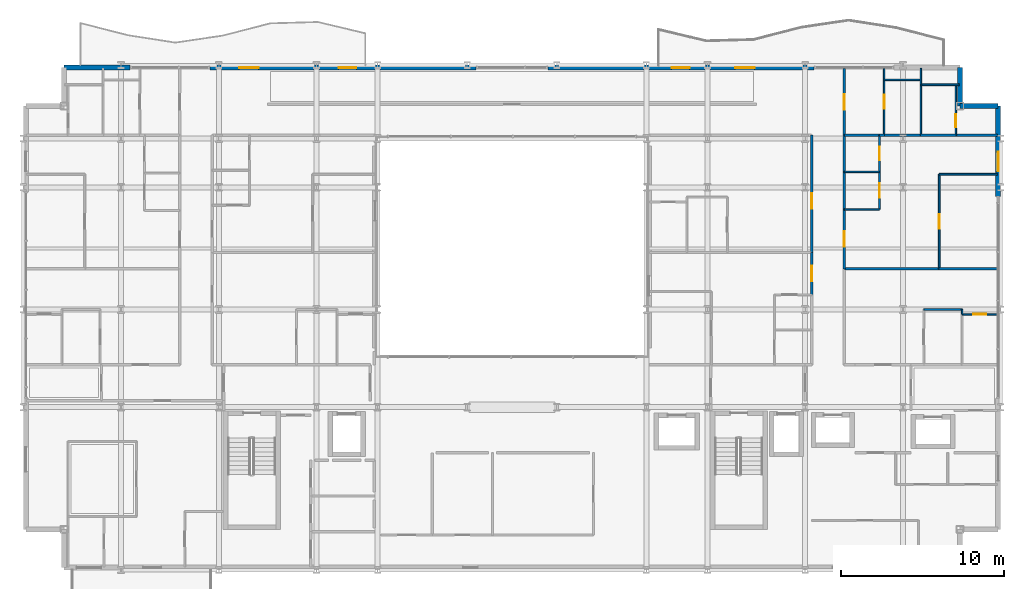
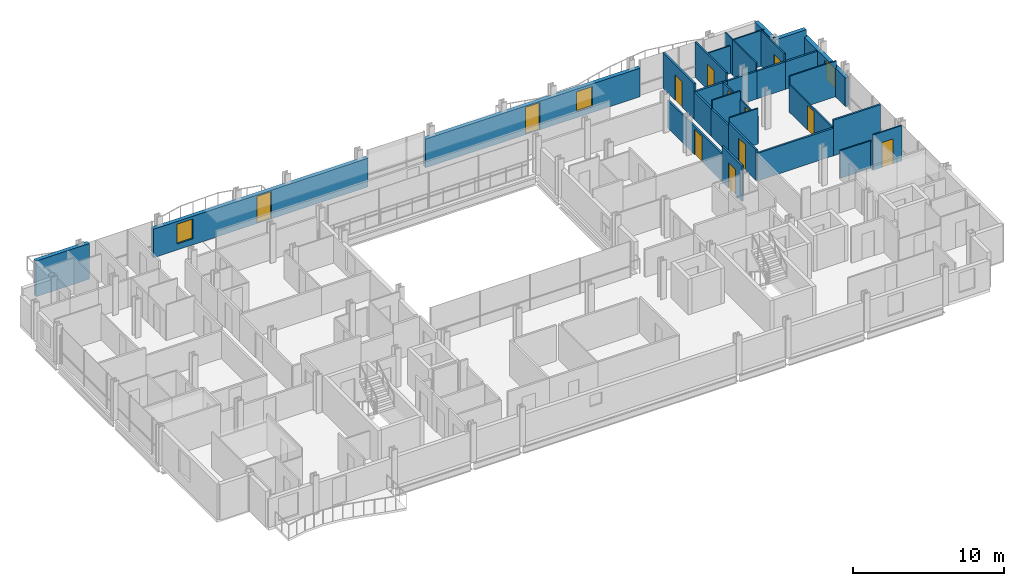
# One storey, part 36 of 41: 34 walls, 12 doors, 3 windows, 15 openings.
"""IFC4 building model written with IfcOpenShell, lengths in metres."""

from ifc_helpers import new_model, si_unit, direction, frame, frame_2d, origin, place, context, subcontext, project, spatial, rectangle, extrude, material, layer, layer_set, type_object, element, fill, save


model = new_model("IFC4")

# Units and contexts
model_context = context("Model", 3, precision=1e-05, world=origin(), true_north=direction((0.0, 1.0)))
body_context = subcontext(model_context, "Body", "Model", "MODEL_VIEW")
ifc_project = project(units=[si_unit("LENGTHUNIT", "METRE"), si_unit("AREAUNIT", "SQUARE_METRE"), si_unit("VOLUMEUNIT", "CUBIC_METRE"), si_unit("PLANEANGLEUNIT", "RADIAN"), si_unit("MASSUNIT", "GRAM", prefix="KILO")], contexts=[model_context])

# Site, building, storey
site_placement = place(None, origin())
site = spatial("IfcSite", under=ifc_project, at=site_placement, CompositionType="ELEMENT")
building_placement = place(site_placement, origin())
building = spatial("IfcBuilding", under=site, at=building_placement, Name="Brevholm Reach", CompositionType="ELEMENT")
storey_placement = place(building_placement, frame((0.0, 0.0, 55.89990234375)))
storey = spatial("IfcBuildingStorey", under=building, at=storey_placement, Name="L15", CompositionType="ELEMENT", Elevation=55.89990234375)

# Walls
ifc_material_1 = material(Name="Concrete C40/50", Category="concrete")
ifc_layer_1 = layer(ifc_material_1, 0.300048828125)
ifc_layer_set_1 = layer_set([ifc_layer_1], Name="Concrete C40/50")
wall_type_1 = type_object("IfcWallType", Name="WAL-EXT-300", PredefinedType="STANDARD", material=ifc_layer_set_1)
for number, where, z_axis, x_axis, name in (
    (1, (59.85009765625, 28.5, 0.0), (0.0, 0.0, 1.0), (-1.0, 0.0, 0.0), "L15 Facade Wall WAL-L15-CNE1"),
    (2, (57.5, 28.5, 0.0), (0.0, 0.0, 1.0), (0.0, 1.0, 0.0), "L15 Facade Wall WAL-L15-CNE2"),
):
    element("IfcWall", number, at=place(storey_placement, frame(where, z_axis=z_axis, x_axis=x_axis)), inside=storey, type_object=wall_type_1, Name=name, PredefinedType="STANDARD", context=body_context, shape_type="SweptSolid", body=[
        extrude(rectangle(XDim=2.35009765625, YDim=0.300048828125, at=frame_2d((1.175048828125, 0.0))), origin(), (0.0, 0.0, 1.0), 2.8701171875),
    ])

# Wall, opening, window
wall_1_placement = place(storey_placement, frame((59.85009765625, 22.949951171875, 0.0), z_axis=(0.0, 0.0, 1.0), x_axis=(0.0, 1.0, 0.0)))
wall_1 = element("IfcWall", 3, at=wall_1_placement, inside=storey, type_object=wall_type_1, Name="L15 Facade Wall WAL-L15-E-N", PredefinedType="STANDARD", context=body_context, shape_type="SweptSolid", body=[
    extrude(rectangle(XDim=5.550048828125, YDim=0.300048828125, at=frame_2d((2.77490234375, 0.0))), origin(), (0.0, 0.0, 1.0), 2.3056640625),
])
opening_1_placement = place(wall_1_placement, frame((1.530029296875, 0.0, 0.486083984375)))
opening_1 = element("IfcOpeningElement", 4, at=opening_1_placement, cuts=wall_1, Name="Opening WN-08", PredefinedType="OPENING", context=body_context, shape_type="SweptSolid", body=[
    extrude(rectangle(XDim=1.199951171875, YDim=1.60009765625, at=frame_2d((0.60009765625, 0.800048828125))), frame((0.0, 0.159912109375, 0.0), z_axis=(0.0, -1.0, 0.0), x_axis=(1.0, 0.0, 0.0)), (0.0, 0.0, 1.0), 0.320068359375),
])
ifc_material_2 = material(Name="Dark Anodised Aluminium and Solar-Control IGU Glass", Category="aluminium")
window_type = type_object("IfcWindowType", Name="WIN-RES-1200", PartitioningType="SINGLE_PANEL", PredefinedType="WINDOW", material=ifc_material_2)
window_1_placement = place(opening_1_placement, origin())
window_1 = element("IfcWindow", 5, at=window_1_placement, inside=storey, type_object=window_type, Name="L15 Window WIN-L15-EN-1", OverallHeight=1.60009765625, OverallWidth=1.199951171875, PartitioningType="SINGLE_PANEL", PredefinedType="WINDOW", context=body_context, shape_type="SweptSolid", body=[
    extrude(rectangle(XDim=1.199951171875, YDim=1.60009765625, at=frame_2d((0.60009765625, 0.800048828125))), frame((0.0, 0.030029296875, 0.0), z_axis=(0.0, -1.0, 0.0), x_axis=(1.0, 0.0, 0.0)), (0.0, 0.0, 1.0), 0.06005859375),
])
fill(opening_1, window_1)

# Wall
wall_2_placement = place(storey_placement, frame((2.5, 30.85009765625, 0.0), z_axis=(0.0, 0.0, 1.0), x_axis=(1.0, 0.0, 0.0)))
element("IfcWall", 6, at=wall_2_placement, inside=storey, type_object=wall_type_1, Name="L15 Facade Wall WAL-L15-NP-W0", PredefinedType="STANDARD", context=body_context, shape_type="SweptSolid", body=[
    extrude(rectangle(XDim=4.050048828125, YDim=0.300048828125, at=frame_2d((2.02490234375, 0.0))), origin(), (0.0, 0.0, 1.0), 2.8701171875),
])

# Wall, openings, door, window
wall_3_placement = place(storey_placement, frame((11.449951171875, 30.85009765625, 0.0), z_axis=(0.0, 0.0, 1.0), x_axis=(1.0, 0.0, 0.0)))
wall_3 = element("IfcWall", 7, at=wall_3_placement, inside=storey, type_object=wall_type_1, Name="L15 Facade Wall WAL-L15-NP-WL", PredefinedType="STANDARD", context=body_context, shape_type="SweptSolid", body=[
    extrude(rectangle(XDim=16.35009765625, YDim=0.300048828125, at=frame_2d((8.175048828125, 0.0))), origin(), (0.0, 0.0, 1.0), 2.3056640625),
])
opening_2_placement = place(wall_3_placement, frame((7.89794921875, 0.0, 0.0)))
opening_2 = element("IfcOpeningElement", 8, at=opening_2_placement, cuts=wall_3, Name="Opening BD-01", PredefinedType="OPENING", context=body_context, shape_type="SweptSolid", body=[
    extrude(rectangle(XDim=1.10009765625, YDim=2.199951171875, at=frame_2d((0.550048828125, 1.10009765625))), frame((0.0, 0.159912109375, 0.0), z_axis=(0.0, -1.0, 0.0), x_axis=(1.0, 0.0, 0.0)), (0.0, 0.0, 1.0), 0.320068359375),
])
opening_3_placement = place(wall_3_placement, frame((1.800048828125, 0.0, 0.486083984375)))
opening_3 = element("IfcOpeningElement", 9, at=opening_3_placement, cuts=wall_3, Name="Opening WN-08", PredefinedType="OPENING", context=body_context, shape_type="SweptSolid", body=[
    extrude(rectangle(XDim=1.199951171875, YDim=1.60009765625, at=frame_2d((0.60009765625, 0.800048828125))), frame((0.0, 0.159912109375, 0.0), z_axis=(0.0, -1.0, 0.0), x_axis=(1.0, 0.0, 0.0)), (0.0, 0.0, 1.0), 0.320068359375),
])
ifc_material_3 = material(Name="Dark Anodised Aluminium and Triple-Glazed Glass", Category="aluminium")
door_type_1 = type_object("IfcDoorType", Name="DOR-BALC-1100", OperationType="NOTDEFINED", PredefinedType="DOOR", material=ifc_material_3)
door_1_placement = place(opening_2_placement, origin())
door_1 = element("IfcDoor", 10, at=door_1_placement, inside=storey, type_object=door_type_1, Name="L15 Exterior Door DOR-L15-BL-NW", OperationType="SINGLE_SWING_LEFT", OverallHeight=2.199951171875, OverallWidth=1.10009765625, PredefinedType="DOOR", context=body_context, shape_type="SweptSolid", body=[
    extrude(rectangle(XDim=1.10009765625, YDim=2.199951171875, at=frame_2d((0.550048828125, 1.10009765625))), frame((0.0, 0.02490234375, 0.0), z_axis=(0.0, -1.0, 0.0), x_axis=(1.0, 0.0, 0.0)), (0.0, 0.0, 1.0), 0.050048828125),
])
fill(opening_2, door_1)
window_2_placement = place(opening_3_placement, origin())
window_2 = element("IfcWindow", 11, at=window_2_placement, inside=storey, type_object=window_type, Name="L15 Window WIN-L15-NP-WL1", OverallHeight=1.60009765625, OverallWidth=1.199951171875, PartitioningType="SINGLE_PANEL", PredefinedType="WINDOW", context=body_context, shape_type="SweptSolid", body=[
    extrude(rectangle(XDim=1.199951171875, YDim=1.60009765625, at=frame_2d((0.60009765625, 0.800048828125))), frame((0.0, 0.030029296875, 0.0), z_axis=(0.0, -1.0, 0.0), x_axis=(1.0, 0.0, 0.0)), (0.0, 0.0, 1.0), 0.06005859375),
])
fill(opening_3, window_2)

wall_4_placement = place(storey_placement, frame((32.199951171875, 30.85009765625, 0.0), z_axis=(0.0, 0.0, 1.0), x_axis=(1.0, 0.0, 0.0)))
wall_4 = element("IfcWall", 12, at=wall_4_placement, inside=storey, type_object=wall_type_1, Name="L15 Facade Wall WAL-L15-NP-ER", PredefinedType="STANDARD", context=body_context, shape_type="SweptSolid", body=[
    extrude(rectangle(XDim=16.35009765625, YDim=0.300048828125, at=frame_2d((8.175048828125, 0.0))), origin(), (0.0, 0.0, 1.0), 2.3056640625),
])
opening_4_placement = place(wall_4_placement, frame((7.60009765625, 0.0, 0.0)))
opening_4 = element("IfcOpeningElement", 13, at=opening_4_placement, cuts=wall_4, Name="Opening BD-01", PredefinedType="OPENING", context=body_context, shape_type="SweptSolid", body=[
    extrude(rectangle(XDim=1.10009765625, YDim=2.199951171875, at=frame_2d((0.550048828125, 1.10009765625))), frame((0.0, 0.159912109375, 0.0), z_axis=(0.0, -1.0, 0.0), x_axis=(1.0, 0.0, 0.0)), (0.0, 0.0, 1.0), 0.320068359375),
])
opening_5_placement = place(wall_4_placement, frame((11.5, 0.0, 0.486083984375)))
opening_5 = element("IfcOpeningElement", 14, at=opening_5_placement, cuts=wall_4, Name="Opening WN-08", PredefinedType="OPENING", context=body_context, shape_type="SweptSolid", body=[
    extrude(rectangle(XDim=1.199951171875, YDim=1.60009765625, at=frame_2d((0.60009765625, 0.800048828125))), frame((0.0, 0.159912109375, 0.0), z_axis=(0.0, -1.0, 0.0), x_axis=(1.0, 0.0, 0.0)), (0.0, 0.0, 1.0), 0.320068359375),
])
door_2_placement = place(opening_4_placement, origin())
door_2 = element("IfcDoor", 15, at=door_2_placement, inside=storey, type_object=door_type_1, Name="L15 Exterior Door DOR-L15-BL-NE", OperationType="SINGLE_SWING_RIGHT", OverallHeight=2.199951171875, OverallWidth=1.10009765625, PredefinedType="DOOR", context=body_context, shape_type="SweptSolid", body=[
    extrude(rectangle(XDim=1.10009765625, YDim=2.199951171875, at=frame_2d((0.550048828125, 1.10009765625))), frame((0.0, 0.02490234375, 0.0), z_axis=(0.0, -1.0, 0.0), x_axis=(1.0, 0.0, 0.0)), (0.0, 0.0, 1.0), 0.050048828125),
])
fill(opening_4, door_2)
window_3_placement = place(opening_5_placement, origin())
window_3 = element("IfcWindow", 16, at=window_3_placement, inside=storey, type_object=window_type, Name="L15 Window WIN-L15-NP-ER1", OverallHeight=1.60009765625, OverallWidth=1.199951171875, PartitioningType="SINGLE_PANEL", PredefinedType="WINDOW", context=body_context, shape_type="SweptSolid", body=[
    extrude(rectangle(XDim=1.199951171875, YDim=1.60009765625, at=frame_2d((0.60009765625, 0.800048828125))), frame((0.0, 0.030029296875, 0.0), z_axis=(0.0, -1.0, 0.0), x_axis=(1.0, 0.0, 0.0)), (0.0, 0.0, 1.0), 0.06005859375),
])
fill(opening_5, window_3)

# Wall, opening, door
ifc_material_4 = material(Name="Moisture-Resistant Acoustic Gypsum Stud Partition 100 mm", Category="gypsum")
ifc_layer_2 = layer(ifc_material_4, 0.10009765625)
ifc_layer_set_2 = layer_set([ifc_layer_2], Name="Moisture-Resistant Acoustic Gypsum Stud Partition 100 mm")
wall_type_2 = type_object("IfcWallType", Name="WAL-PRT-100", PredefinedType="PARTITIONING", material=ifc_layer_set_2)
wall_5_placement = place(storey_placement, frame((57.637939453125, 15.699951171875, 0.0), z_axis=(0.0, 0.0, 1.0), x_axis=(1.0, 0.0, 0.0)))
wall_5 = element("IfcWall", 17, at=wall_5_placement, inside=storey, type_object=wall_type_2, Name="L15 Internal Partition 125", PredefinedType="PARTITIONING", context=body_context, shape_type="SweptSolid", body=[
    extrude(rectangle(XDim=2.162109375, YDim=0.10009765625, at=frame_2d((1.0810546875, 0.0))), origin(), (0.0, 0.0, 1.0), 2.8701171875),
])
opening_6_placement = place(wall_5_placement, frame((0.6708984375, 0.0, 0.0)))
opening_6 = element("IfcOpeningElement", 18, at=opening_6_placement, cuts=wall_5, Name="Opening ID-03", PredefinedType="OPENING", context=body_context, shape_type="SweptSolid", body=[
    extrude(rectangle(XDim=0.820068359375, YDim=2.02001953125, at=frame_2d((0.41015625, 1.010009765625))), frame((0.0, 0.06005859375, 0.0), z_axis=(0.0, -1.0, 0.0), x_axis=(1.0, 0.0, 0.0)), (0.0, 0.0, 1.0), 0.1201171875),
])
ifc_material_5 = material(Name="Moisture-Resistant Painted Timber Internal Bathroom Door", Category="wood")
door_type_2 = type_object("IfcDoorType", Name="DOR-BATH-820", OperationType="NOTDEFINED", PredefinedType="DOOR", material=ifc_material_5)
door_3_placement = place(opening_6_placement, origin())
door_3 = element("IfcDoor", 19, at=door_3_placement, inside=storey, type_object=door_type_2, Name="L15 Internal Door 048", OperationType="SINGLE_SWING_LEFT", OverallHeight=2.02001953125, OverallWidth=0.820068359375, PredefinedType="DOOR", context=body_context, shape_type="SweptSolid", body=[
    extrude(rectangle(XDim=0.820068359375, YDim=2.02001953125, at=frame_2d((0.41015625, 1.010009765625))), frame((0.0, 0.02490234375, 0.0), z_axis=(0.0, -1.0, 0.0), x_axis=(1.0, 0.0, 0.0)), (0.0, 0.0, 1.0), 0.050048828125),
])
fill(opening_6, door_3)

# Walls
wall_6_placement = place(storey_placement, frame((57.637939453125, 15.7041015625, 0.0), z_axis=(0.0, 0.0, 1.0), x_axis=(0.0, 1.0, 0.0)))
element("IfcWall", 20, at=wall_6_placement, inside=storey, type_object=wall_type_2, Name="L15 Internal Partition 126", PredefinedType="PARTITIONING", context=body_context, shape_type="SweptSolid", body=[
    extrude(rectangle(XDim=0.2958984375, YDim=0.10009765625, at=frame_2d((0.14794921875, 0.0))), origin(), (0.0, 0.0, 1.0), 2.224853515625),
])
wall_7_placement = place(storey_placement, frame((55.2880859375, 16.0, 0.0), z_axis=(0.0, 0.0, 1.0), x_axis=(1.0, 0.0, 0.0)))
element("IfcWall", 21, at=wall_7_placement, inside=storey, type_object=wall_type_2, Name="L15 Internal Partition 127", PredefinedType="PARTITIONING", context=body_context, shape_type="SweptSolid", body=[
    extrude(rectangle(XDim=2.349853515625, YDim=0.10009765625, at=frame_2d((1.1748046875, 0.0))), origin(), (0.0, 0.0, 1.0), 2.224853515625),
])
wall_8_placement = place(storey_placement, frame((50.404052734375, 24.446044921875, 0.0), z_axis=(0.0, 0.0, 1.0), x_axis=(1.0, 0.0, 0.0)))
element("IfcWall", 22, at=wall_8_placement, inside=storey, type_object=wall_type_2, Name="L15 Internal Partition 131", PredefinedType="PARTITIONING", context=body_context, shape_type="SweptSolid", body=[
    extrude(rectangle(XDim=2.157958984375, YDim=0.10009765625, at=frame_2d((1.0791015625, 0.0))), origin(), (0.0, 0.0, 1.0), 2.8701171875),
])

# Wall, opening, door
wall_9_placement = place(storey_placement, frame((52.56201171875, 24.446044921875, 0.0), z_axis=(0.0, 0.0, 1.0), x_axis=(0.0, 1.0, 0.0)))
wall_9 = element("IfcWall", 23, at=wall_9_placement, inside=storey, type_object=wall_type_2, Name="L15 Internal Partition 132", PredefinedType="PARTITIONING", context=body_context, shape_type="SweptSolid", body=[
    extrude(rectangle(XDim=2.25390625, YDim=0.10009765625, at=frame_2d((1.126953125, 0.0))), origin(), (0.0, 0.0, 1.0), 2.224853515625),
])
opening_7_placement = place(wall_9_placement, frame((0.717041015625, 0.0, 0.0)))
opening_7 = element("IfcOpeningElement", 24, at=opening_7_placement, cuts=wall_9, Name="Opening ID-03", PredefinedType="OPENING", context=body_context, shape_type="SweptSolid", body=[
    extrude(rectangle(XDim=0.820068359375, YDim=2.02001953125, at=frame_2d((0.41015625, 1.010009765625))), frame((0.0, 0.06005859375, 0.0), z_axis=(0.0, -1.0, 0.0), x_axis=(1.0, 0.0, 0.0)), (0.0, 0.0, 1.0), 0.1201171875),
])
door_4_placement = place(opening_7_placement, origin())
door_4 = element("IfcDoor", 25, at=door_4_placement, inside=storey, type_object=door_type_2, Name="L15 Internal Door 050", OperationType="SINGLE_SWING_LEFT", OverallHeight=2.02001953125, OverallWidth=0.820068359375, PredefinedType="DOOR", context=body_context, shape_type="SweptSolid", body=[
    extrude(rectangle(XDim=0.820068359375, YDim=2.02001953125, at=frame_2d((0.41015625, 1.010009765625))), frame((0.0, 0.02490234375, 0.0), z_axis=(0.0, -1.0, 0.0), x_axis=(1.0, 0.0, 0.0)), (0.0, 0.0, 1.0), 0.050048828125),
])
fill(opening_7, door_4)

# Wall
wall_10_placement = place(storey_placement, frame((50.404052734375, 22.14990234375, 0.0), z_axis=(0.0, 0.0, 1.0), x_axis=(1.0, 0.0, 0.0)))
element("IfcWall", 26, at=wall_10_placement, inside=storey, type_object=wall_type_2, Name="L15 Internal Partition 134", PredefinedType="PARTITIONING", context=body_context, shape_type="SweptSolid", body=[
    extrude(rectangle(XDim=2.157958984375, YDim=0.10009765625, at=frame_2d((1.0791015625, 0.0))), origin(), (0.0, 0.0, 1.0), 2.8701171875),
])

# Wall, opening, door
wall_11_placement = place(storey_placement, frame((52.56201171875, 22.14990234375, 0.0), z_axis=(0.0, 0.0, 1.0), x_axis=(0.0, 1.0, 0.0)))
wall_11 = element("IfcWall", 27, at=wall_11_placement, inside=storey, type_object=wall_type_2, Name="L15 Internal Partition 135", PredefinedType="PARTITIONING", context=body_context, shape_type="SweptSolid", body=[
    extrude(rectangle(XDim=2.2919921875, YDim=0.10009765625, at=frame_2d((1.14599609375, 0.0))), origin(), (0.0, 0.0, 1.0), 2.224853515625),
])
opening_8_placement = place(wall_11_placement, frame((0.7060546875, 0.0, 0.0)))
opening_8 = element("IfcOpeningElement", 28, at=opening_8_placement, cuts=wall_11, Name="Opening ID-01", PredefinedType="OPENING", context=body_context, shape_type="SweptSolid", body=[
    extrude(rectangle(XDim=0.8798828125, YDim=2.0400390625, at=frame_2d((0.43994140625, 1.02001953125))), frame((0.0, 0.06005859375, 0.0), z_axis=(0.0, -1.0, 0.0), x_axis=(1.0, 0.0, 0.0)), (0.0, 0.0, 1.0), 0.1201171875),
])
ifc_material_6 = material(Name="Lacquered Ash Solid-Core Acoustic Internal Door", Category="timber")
door_type_3 = type_object("IfcDoorType", Name="DOR-INT-880", OperationType="NOTDEFINED", PredefinedType="DOOR", material=ifc_material_6)
door_5_placement = place(opening_8_placement, origin())
door_5 = element("IfcDoor", 29, at=door_5_placement, inside=storey, type_object=door_type_3, Name="L15 Internal Door 051", OperationType="SINGLE_SWING_RIGHT", OverallHeight=2.0400390625, OverallWidth=0.8798828125, PredefinedType="DOOR", context=body_context, shape_type="SweptSolid", body=[
    extrude(rectangle(XDim=0.8798828125, YDim=2.0400390625, at=frame_2d((0.43994140625, 1.02001953125))), frame((0.0, 0.02490234375, 0.0), z_axis=(0.0, -1.0, 0.0), x_axis=(1.0, 0.0, 0.0)), (0.0, 0.0, 1.0), 0.050048828125),
])
fill(opening_8, door_5)

# Wall
wall_12_placement = place(storey_placement, frame((56.22802734375, 24.300048828125, 0.0), z_axis=(0.0, 0.0, 1.0), x_axis=(1.0, 0.0, 0.0)))
element("IfcWall", 30, at=wall_12_placement, inside=storey, type_object=wall_type_2, Name="L15 Internal Partition 136", PredefinedType="PARTITIONING", context=body_context, shape_type="SweptSolid", body=[
    extrude(rectangle(XDim=3.572021484375, YDim=0.10009765625, at=frame_2d((1.7861328125, 0.0))), origin(), (0.0, 0.0, 1.0), 2.8701171875),
])

# Wall, opening, door
wall_13_placement = place(storey_placement, frame((56.22802734375, 18.50390625, 0.0), z_axis=(0.0, 0.0, 1.0), x_axis=(0.0, 1.0, 0.0)))
wall_13 = element("IfcWall", 31, at=wall_13_placement, inside=storey, type_object=wall_type_2, Name="L15 Internal Partition 137", PredefinedType="PARTITIONING", context=body_context, shape_type="SweptSolid", body=[
    extrude(rectangle(XDim=5.796142578125, YDim=0.10009765625, at=frame_2d((2.89794921875, 0.0))), origin(), (0.0, 0.0, 1.0), 2.224853515625),
])
opening_9_placement = place(wall_13_placement, frame((2.4580078125, 0.0, 0.0)))
opening_9 = element("IfcOpeningElement", 32, at=opening_9_placement, cuts=wall_13, Name="Opening ID-01", PredefinedType="OPENING", context=body_context, shape_type="SweptSolid", body=[
    extrude(rectangle(XDim=0.8798828125, YDim=2.0400390625, at=frame_2d((0.43994140625, 1.02001953125))), frame((0.0, 0.06005859375, 0.0), z_axis=(0.0, -1.0, 0.0), x_axis=(1.0, 0.0, 0.0)), (0.0, 0.0, 1.0), 0.1201171875),
])
door_6_placement = place(opening_9_placement, origin())
door_6 = element("IfcDoor", 33, at=door_6_placement, inside=storey, type_object=door_type_3, Name="L15 Internal Door 052", OperationType="SINGLE_SWING_LEFT", OverallHeight=2.0400390625, OverallWidth=0.8798828125, PredefinedType="DOOR", context=body_context, shape_type="SweptSolid", body=[
    extrude(rectangle(XDim=0.8798828125, YDim=2.0400390625, at=frame_2d((0.43994140625, 1.02001953125))), frame((0.0, 0.02490234375, 0.0), z_axis=(0.0, -1.0, 0.0), x_axis=(1.0, 0.0, 0.0)), (0.0, 0.0, 1.0), 0.050048828125),
])
fill(opening_9, door_6)

# Wall
wall_14_placement = place(storey_placement, frame((55.10009765625, 26.7041015625, 0.0), z_axis=(0.0, 0.0, 1.0), x_axis=(0.0, 1.0, 0.0)))
element("IfcWall", 34, at=wall_14_placement, inside=storey, type_object=wall_type_2, Name="L15 Internal Partition 148", PredefinedType="PARTITIONING", context=body_context, shape_type="SweptSolid", body=[
    extrude(rectangle(XDim=3.095947265625, YDim=0.10009765625, at=frame_2d((1.5478515625, 0.0))), origin(), (0.0, 0.0, 1.0), 2.8701171875),
])

# Wall, opening, door
wall_15_placement = place(storey_placement, frame((57.25, 26.7041015625, 0.0), z_axis=(0.0, 0.0, 1.0), x_axis=(0.0, 1.0, 0.0)))
wall_15 = element("IfcWall", 35, at=wall_15_placement, inside=storey, type_object=wall_type_2, Name="L15 Internal Partition 149", PredefinedType="PARTITIONING", context=body_context, shape_type="SweptSolid", body=[
    extrude(rectangle(XDim=3.095947265625, YDim=0.10009765625, at=frame_2d((1.5478515625, 0.0))), origin(), (0.0, 0.0, 1.0), 2.8701171875),
])
opening_10_placement = place(wall_15_placement, frame((0.47802734375, 0.0, 0.0)))
opening_10 = element("IfcOpeningElement", 36, at=opening_10_placement, cuts=wall_15, Name="Opening ID-03", PredefinedType="OPENING", context=body_context, shape_type="SweptSolid", body=[
    extrude(rectangle(XDim=0.820068359375, YDim=2.02001953125, at=frame_2d((0.41015625, 1.010009765625))), frame((0.0, 0.06005859375, 0.0), z_axis=(0.0, -1.0, 0.0), x_axis=(1.0, 0.0, 0.0)), (0.0, 0.0, 1.0), 0.1201171875),
])
door_7_placement = place(opening_10_placement, origin())
door_7 = element("IfcDoor", 37, at=door_7_placement, inside=storey, type_object=door_type_2, Name="L15 Internal Door 055", OperationType="SINGLE_SWING_RIGHT", OverallHeight=2.02001953125, OverallWidth=0.820068359375, PredefinedType="DOOR", context=body_context, shape_type="SweptSolid", body=[
    extrude(rectangle(XDim=0.820068359375, YDim=2.02001953125, at=frame_2d((0.41015625, 1.010009765625))), frame((0.0, 0.02490234375, 0.0), z_axis=(0.0, -1.0, 0.0), x_axis=(1.0, 0.0, 0.0)), (0.0, 0.0, 1.0), 0.050048828125),
])
fill(opening_10, door_7)

# Walls
wall_16_placement = place(storey_placement, frame((55.10009765625, 29.800048828125, 0.0), z_axis=(0.0, 0.0, 1.0), x_axis=(1.0, 0.0, 0.0)))
element("IfcWall", 38, at=wall_16_placement, inside=storey, type_object=wall_type_2, Name="L15 Internal Partition 150", PredefinedType="PARTITIONING", context=body_context, shape_type="SweptSolid", body=[
    extrude(rectangle(XDim=2.349853515625, YDim=0.10009765625, at=frame_2d((1.1748046875, 0.0))), origin(), (0.0, 0.0, 1.0), 2.8701171875),
])
wall_17_placement = place(storey_placement, frame((55.10009765625, 29.803955078125, 0.0), z_axis=(0.0, 0.0, 1.0), x_axis=(0.0, 1.0, 0.0)))
element("IfcWall", 39, at=wall_17_placement, inside=storey, type_object=wall_type_2, Name="L15 Internal Partition 151", PredefinedType="PARTITIONING", context=body_context, shape_type="SweptSolid", body=[
    extrude(rectangle(XDim=0.99609375, YDim=0.10009765625, at=frame_2d((0.498046875, 0.0))), origin(), (0.0, 0.0, 1.0), 2.8701171875),
])
wall_18_placement = place(storey_placement, frame((52.85009765625, 30.10009765625, 0.0), z_axis=(0.0, 0.0, 1.0), x_axis=(1.0, 0.0, 0.0)))
element("IfcWall", 40, at=wall_18_placement, inside=storey, type_object=wall_type_2, Name="L15 Internal Partition 152", PredefinedType="PARTITIONING", context=body_context, shape_type="SweptSolid", body=[
    extrude(rectangle(XDim=2.25, YDim=0.10009765625, at=frame_2d((1.125, 0.0))), origin(), (0.0, 0.0, 1.0), 2.224853515625),
])

# Wall, opening, door
wall_19_placement = place(storey_placement, frame((52.85009765625, 26.7041015625, 0.0), z_axis=(0.0, 0.0, 1.0), x_axis=(0.0, 1.0, 0.0)))
wall_19 = element("IfcWall", 41, at=wall_19_placement, inside=storey, type_object=wall_type_2, Name="L15 Internal Partition 153", PredefinedType="PARTITIONING", context=body_context, shape_type="SweptSolid", body=[
    extrude(rectangle(XDim=4.095947265625, YDim=0.10009765625, at=frame_2d((2.0478515625, 0.0))), origin(), (0.0, 0.0, 1.0), 2.8701171875),
])
opening_11_placement = place(wall_19_placement, frame((1.60791015625, 0.0, 0.0)))
opening_11 = element("IfcOpeningElement", 42, at=opening_11_placement, cuts=wall_19, Name="Opening ID-01", PredefinedType="OPENING", context=body_context, shape_type="SweptSolid", body=[
    extrude(rectangle(XDim=0.8798828125, YDim=2.0400390625, at=frame_2d((0.43994140625, 1.02001953125))), frame((0.0, 0.06005859375, 0.0), z_axis=(0.0, -1.0, 0.0), x_axis=(1.0, 0.0, 0.0)), (0.0, 0.0, 1.0), 0.1201171875),
])
door_8_placement = place(opening_11_placement, origin())
door_8 = element("IfcDoor", 43, at=door_8_placement, inside=storey, type_object=door_type_3, Name="L15 Internal Door 056", OperationType="SINGLE_SWING_LEFT", OverallHeight=2.0400390625, OverallWidth=0.8798828125, PredefinedType="DOOR", context=body_context, shape_type="SweptSolid", body=[
    extrude(rectangle(XDim=0.8798828125, YDim=2.0400390625, at=frame_2d((0.43994140625, 1.02001953125))), frame((0.0, 0.02490234375, 0.0), z_axis=(0.0, -1.0, 0.0), x_axis=(1.0, 0.0, 0.0)), (0.0, 0.0, 1.0), 0.050048828125),
])
fill(opening_11, door_8)

ifc_material_7 = material(Name="Twin-Stud Acoustic Fire-Rated Gypsum Partition 140 mm", Category="gypsum")
ifc_layer_3 = layer(ifc_material_7, 0.139892578125)
ifc_layer_set_3 = layer_set([ifc_layer_3], Name="Twin-Stud Acoustic Fire-Rated Gypsum Partition 140 mm")
wall_type_3 = type_object("IfcWallType", Name="WAL-PRT-140", PredefinedType="PARTITIONING", material=ifc_layer_set_3)
wall_20_placement = place(storey_placement, frame((48.39990234375, 16.892578125, 0.0), z_axis=(0.0, 0.0, 1.0), x_axis=(0.0, 1.0, 0.0)))
wall_20 = element("IfcWall", 44, at=wall_20_placement, inside=storey, type_object=wall_type_3, Name="L15 Internal Partition 045", PredefinedType="PARTITIONING", context=body_context, shape_type="SweptSolid", body=[
    extrude(rectangle(XDim=2.61865234375, YDim=0.139892578125, at=frame_2d((1.309326171875, 0.0))), origin(), (0.0, 0.0, 1.0), 2.8701171875),
])
opening_12_placement = place(wall_20_placement, frame((0.834228515625, 0.0, 0.0)))
opening_12 = element("IfcOpeningElement", 45, at=opening_12_placement, cuts=wall_20, Name="Opening ID-30", PredefinedType="OPENING", context=body_context, shape_type="SweptSolid", body=[
    extrude(rectangle(XDim=0.949951171875, YDim=2.050048828125, at=frame_2d((0.47509765625, 1.02490234375))), frame((0.0, 0.079833984375, 0.0), z_axis=(0.0, -1.0, 0.0), x_axis=(1.0, 0.0, 0.0)), (0.0, 0.0, 1.0), 0.159912109375),
])
ifc_material_8 = material(Name="European Oak Veneered Solid-Core Fire Entrance Door", Category="timber")
door_type_4 = type_object("IfcDoorType", Name="DOR-FLT-FD30S", OperationType="NOTDEFINED", PredefinedType="DOOR", material=ifc_material_8)
door_9_placement = place(opening_12_placement, origin())
door_9 = element("IfcDoor", 46, at=door_9_placement, inside=storey, type_object=door_type_4, Name="L15 Internal Door 022", OperationType="SINGLE_SWING_LEFT", OverallHeight=2.050048828125, OverallWidth=0.949951171875, PredefinedType="DOOR", context=body_context, shape_type="SweptSolid", body=[
    extrude(rectangle(XDim=0.949951171875, YDim=2.050048828125, at=frame_2d((0.47509765625, 1.02490234375))), frame((0.0, 0.02490234375, 0.0), z_axis=(0.0, -1.0, 0.0), x_axis=(1.0, 0.0, 0.0)), (0.0, 0.0, 1.0), 0.050048828125),
])
fill(opening_12, door_9)

wall_21_placement = place(storey_placement, frame((48.39990234375, 19.49267578125, 0.0), z_axis=(0.0, 0.0, 1.0), x_axis=(0.0, 1.0, 0.0)))
wall_21 = element("IfcWall", 47, at=wall_21_placement, inside=storey, type_object=wall_type_3, Name="L15 Internal Partition 046", PredefinedType="PARTITIONING", context=body_context, shape_type="SweptSolid", body=[
    extrude(rectangle(XDim=7.214599609375, YDim=0.139892578125, at=frame_2d((3.607421875, 0.0))), origin(), (0.0, 0.0, 1.0), 2.224853515625),
])
opening_13_placement = place(wall_21_placement, frame((2.6923828125, 0.0, 0.0)))
opening_13 = element("IfcOpeningElement", 48, at=opening_13_placement, cuts=wall_21, Name="Opening ID-30", PredefinedType="OPENING", context=body_context, shape_type="SweptSolid", body=[
    extrude(rectangle(XDim=0.949951171875, YDim=2.050048828125, at=frame_2d((0.47509765625, 1.02490234375))), frame((0.0, 0.079833984375, 0.0), z_axis=(0.0, -1.0, 0.0), x_axis=(1.0, 0.0, 0.0)), (0.0, 0.0, 1.0), 0.159912109375),
])
door_10_placement = place(opening_13_placement, origin())
door_10 = element("IfcDoor", 49, at=door_10_placement, inside=storey, type_object=door_type_4, Name="L15 Internal Door 023", OperationType="SINGLE_SWING_RIGHT", OverallHeight=2.050048828125, OverallWidth=0.949951171875, PredefinedType="DOOR", context=body_context, shape_type="SweptSolid", body=[
    extrude(rectangle(XDim=0.949951171875, YDim=2.050048828125, at=frame_2d((0.47509765625, 1.02490234375))), frame((0.0, 0.02490234375, 0.0), z_axis=(0.0, -1.0, 0.0), x_axis=(1.0, 0.0, 0.0)), (0.0, 0.0, 1.0), 0.050048828125),
])
fill(opening_13, door_10)

# Walls
wall_22_placement = place(storey_placement, frame((50.39990234375, 24.434814453125, 0.0), z_axis=(0.0, 0.0, 1.0), x_axis=(0.0, 1.0, 0.0)))
element("IfcWall", 50, at=wall_22_placement, inside=storey, type_object=wall_type_3, Name="L15 Internal Partition 048", PredefinedType="PARTITIONING", context=body_context, shape_type="SweptSolid", body=[
    extrude(rectangle(XDim=2.2763671875, YDim=0.139892578125, at=frame_2d((1.13818359375, 0.0))), origin(), (0.0, 0.0, 1.0), 2.224853515625),
])
wall_23_placement = place(storey_placement, frame((50.39990234375, 22.138671875, 0.0), z_axis=(0.0, 0.0, 1.0), x_axis=(0.0, 1.0, 0.0)))
element("IfcWall", 51, at=wall_23_placement, inside=storey, type_object=wall_type_3, Name="L15 Internal Partition 049", PredefinedType="PARTITIONING", context=body_context, shape_type="SweptSolid", body=[
    extrude(rectangle(XDim=2.314697265625, YDim=0.139892578125, at=frame_2d((1.1572265625, 0.0))), origin(), (0.0, 0.0, 1.0), 2.224853515625),
])

# Wall, opening, door
wall_24_placement = place(storey_placement, frame((50.39990234375, 18.49267578125, 0.0), z_axis=(0.0, 0.0, 1.0), x_axis=(0.0, 1.0, 0.0)))
wall_24 = element("IfcWall", 52, at=wall_24_placement, inside=storey, type_object=wall_type_3, Name="L15 Internal Partition 050", PredefinedType="PARTITIONING", context=body_context, shape_type="SweptSolid", body=[
    extrude(rectangle(XDim=3.66455078125, YDim=0.139892578125, at=frame_2d((1.832275390625, 0.0))), origin(), (0.0, 0.0, 1.0), 2.489990234375),
])
opening_14_placement = place(wall_24_placement, frame((1.357421875, 0.0, 0.0)))
opening_14 = element("IfcOpeningElement", 53, at=opening_14_placement, cuts=wall_24, Name="Opening ID-30", PredefinedType="OPENING", context=body_context, shape_type="SweptSolid", body=[
    extrude(rectangle(XDim=0.949951171875, YDim=2.050048828125, at=frame_2d((0.47509765625, 1.02490234375))), frame((0.0, 0.079833984375, 0.0), z_axis=(0.0, -1.0, 0.0), x_axis=(1.0, 0.0, 0.0)), (0.0, 0.0, 1.0), 0.159912109375),
])
door_11_placement = place(opening_14_placement, origin())
door_11 = element("IfcDoor", 54, at=door_11_placement, inside=storey, type_object=door_type_4, Name="L15 Internal Door 024", OperationType="SINGLE_SWING_LEFT", OverallHeight=2.050048828125, OverallWidth=0.949951171875, PredefinedType="DOOR", context=body_context, shape_type="SweptSolid", body=[
    extrude(rectangle(XDim=0.949951171875, YDim=2.050048828125, at=frame_2d((0.47509765625, 1.02490234375))), frame((0.0, 0.02490234375, 0.0), z_axis=(0.0, -1.0, 0.0), x_axis=(1.0, 0.0, 0.0)), (0.0, 0.0, 1.0), 0.050048828125),
])
fill(opening_14, door_11)

wall_25_placement = place(storey_placement, frame((50.39990234375, 26.692626953125, 0.0), z_axis=(0.0, 0.0, 1.0), x_axis=(0.0, 1.0, 0.0)))
wall_25 = element("IfcWall", 55, at=wall_25_placement, inside=storey, type_object=wall_type_3, Name="L15 Internal Partition 051", PredefinedType="PARTITIONING", context=body_context, shape_type="SweptSolid", body=[
    extrude(rectangle(XDim=4.107421875, YDim=0.139892578125, at=frame_2d((2.0537109375, 0.0))), origin(), (0.0, 0.0, 1.0), 2.8701171875),
])
opening_15_placement = place(wall_25_placement, frame((1.57861328125, 0.0, 0.0)))
opening_15 = element("IfcOpeningElement", 56, at=opening_15_placement, cuts=wall_25, Name="Opening ID-30", PredefinedType="OPENING", context=body_context, shape_type="SweptSolid", body=[
    extrude(rectangle(XDim=0.949951171875, YDim=2.050048828125, at=frame_2d((0.47509765625, 1.02490234375))), frame((0.0, 0.079833984375, 0.0), z_axis=(0.0, -1.0, 0.0), x_axis=(1.0, 0.0, 0.0)), (0.0, 0.0, 1.0), 0.159912109375),
])
door_12_placement = place(opening_15_placement, origin())
door_12 = element("IfcDoor", 57, at=door_12_placement, inside=storey, type_object=door_type_4, Name="L15 Internal Door 025", OperationType="SINGLE_SWING_RIGHT", OverallHeight=2.050048828125, OverallWidth=0.949951171875, PredefinedType="DOOR", context=body_context, shape_type="SweptSolid", body=[
    extrude(rectangle(XDim=0.949951171875, YDim=2.050048828125, at=frame_2d((0.47509765625, 1.02490234375))), frame((0.0, 0.02490234375, 0.0), z_axis=(0.0, -1.0, 0.0), x_axis=(1.0, 0.0, 0.0)), (0.0, 0.0, 1.0), 0.050048828125),
])
fill(opening_15, door_12)

# Walls
wall_26_placement = place(storey_placement, frame((56.216796875, 18.5, 0.0), z_axis=(0.0, 0.0, 1.0), x_axis=(1.0, 0.0, 0.0)))
element("IfcWall", 58, at=wall_26_placement, inside=storey, type_object=wall_type_3, Name="L15 Internal Partition 129", PredefinedType="PARTITIONING", context=body_context, shape_type="SweptSolid", body=[
    extrude(rectangle(XDim=3.583251953125, YDim=0.139892578125, at=frame_2d((1.79150390625, 0.0))), origin(), (0.0, 0.0, 1.0), 2.8701171875),
])
wall_27_placement = place(storey_placement, frame((50.404052734375, 18.5, 0.0), z_axis=(0.0, 0.0, 1.0), x_axis=(1.0, 0.0, 0.0)))
element("IfcWall", 59, at=wall_27_placement, inside=storey, type_object=wall_type_3, Name="L15 Internal Partition 130", PredefinedType="PARTITIONING", context=body_context, shape_type="SweptSolid", body=[
    extrude(rectangle(XDim=5.831298828125, YDim=0.139892578125, at=frame_2d((2.91552734375, 0.0))), origin(), (0.0, 0.0, 1.0), 2.224853515625),
])
wall_28_placement = place(storey_placement, frame((50.404052734375, 26.699951171875, 0.0), z_axis=(0.0, 0.0, 1.0), x_axis=(1.0, 0.0, 0.0)))
element("IfcWall", 60, at=wall_28_placement, inside=storey, type_object=wall_type_3, Name="L15 Internal Partition 133", PredefinedType="PARTITIONING", context=body_context, shape_type="SweptSolid", body=[
    extrude(rectangle(XDim=2.157958984375, YDim=0.139892578125, at=frame_2d((1.0791015625, 0.0))), origin(), (0.0, 0.0, 1.0), 2.224853515625),
])
wall_29_placement = place(storey_placement, frame((55.088623046875, 26.699951171875, 0.0), z_axis=(0.0, 0.0, 1.0), x_axis=(1.0, 0.0, 0.0)))
element("IfcWall", 61, at=wall_29_placement, inside=storey, type_object=wall_type_3, Name="L15 Internal Partition 138", PredefinedType="PARTITIONING", context=body_context, shape_type="SweptSolid", body=[
    extrude(rectangle(XDim=2.172607421875, YDim=0.139892578125, at=frame_2d((1.08642578125, 0.0))), origin(), (0.0, 0.0, 1.0), 2.224853515625),
])
wall_30_placement = place(storey_placement, frame((52.838623046875, 26.699951171875, 0.0), z_axis=(0.0, 0.0, 1.0), x_axis=(1.0, 0.0, 0.0)))
element("IfcWall", 62, at=wall_30_placement, inside=storey, type_object=wall_type_3, Name="L15 Internal Partition 139", PredefinedType="PARTITIONING", context=body_context, shape_type="SweptSolid", body=[
    extrude(rectangle(XDim=2.268798828125, YDim=0.139892578125, at=frame_2d((1.13427734375, 0.0))), origin(), (0.0, 0.0, 1.0), 2.224853515625),
])
wall_31_placement = place(storey_placement, frame((57.24267578125, 26.699951171875, 0.0), z_axis=(0.0, 0.0, 1.0), x_axis=(1.0, 0.0, 0.0)))
element("IfcWall", 63, at=wall_31_placement, inside=storey, type_object=wall_type_3, Name="L15 Internal Partition 140", PredefinedType="PARTITIONING", context=body_context, shape_type="SweptSolid", body=[
    extrude(rectangle(XDim=2.557373046875, YDim=0.139892578125, at=frame_2d((1.27880859375, 0.0))), origin(), (0.0, 0.0, 1.0), 2.224853515625),
])
wall_32_placement = place(storey_placement, frame((52.56591796875, 26.699951171875, 0.0), z_axis=(0.0, 0.0, 1.0), x_axis=(1.0, 0.0, 0.0)))
element("IfcWall", 64, at=wall_32_placement, inside=storey, type_object=wall_type_3, Name="L15 Internal Partition 141", PredefinedType="PARTITIONING", context=body_context, shape_type="SweptSolid", body=[
    extrude(rectangle(XDim=0.29150390625, YDim=0.139892578125, at=frame_2d((0.145751953125, 0.0))), origin(), (0.0, 0.0, 1.0), 2.224853515625),
])

save(model, "model.ifc")
